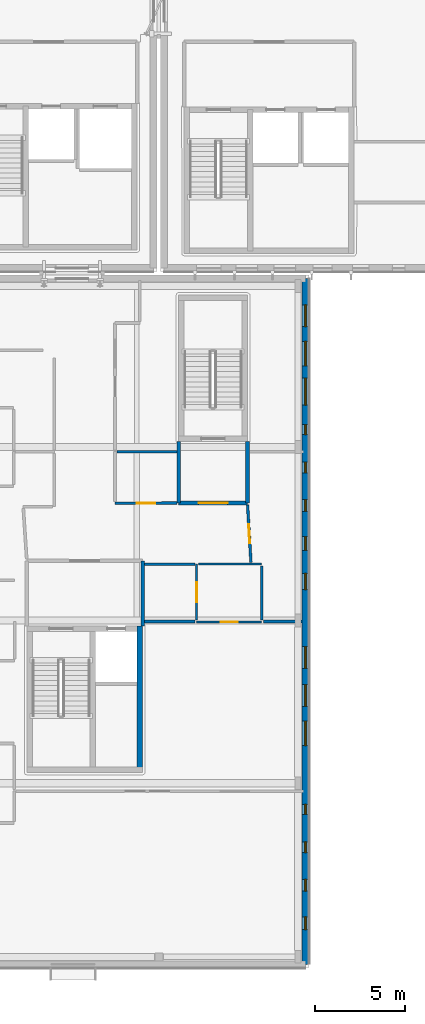
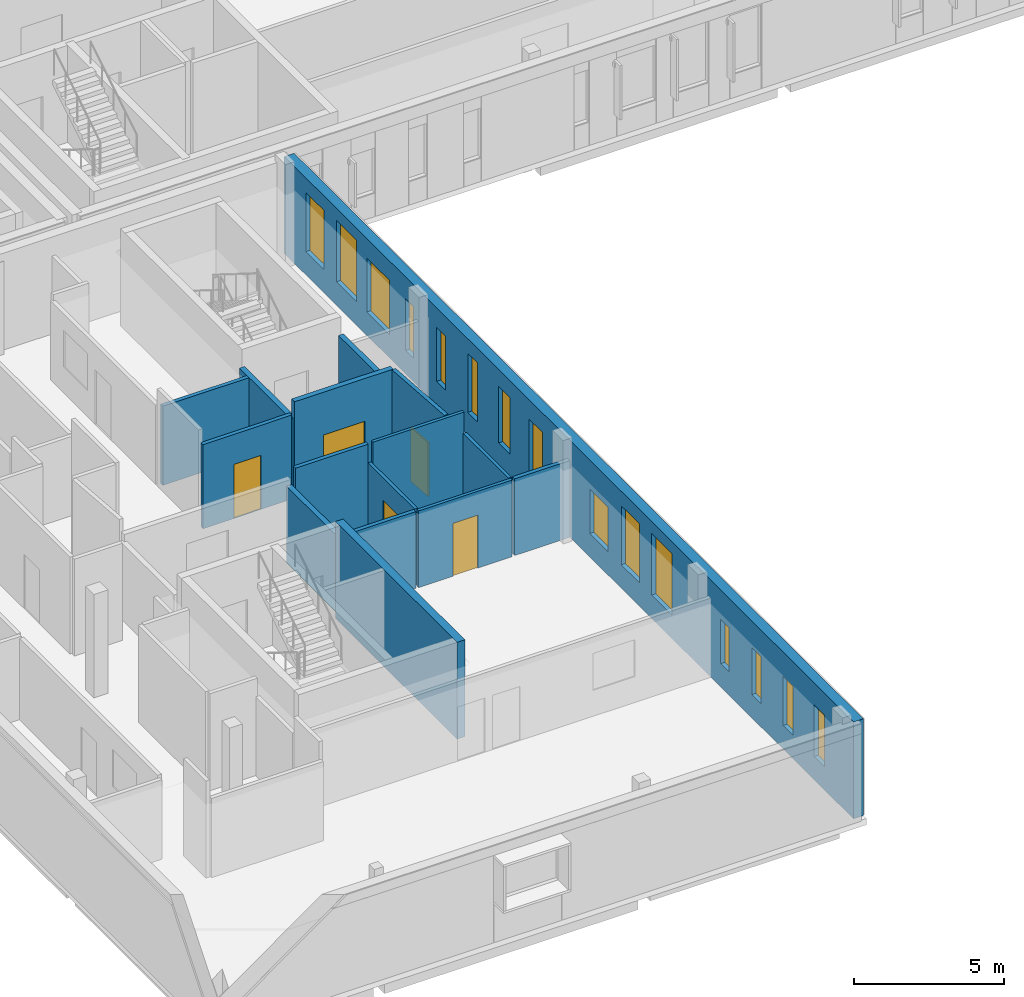
# One storey, part 42 of 84: 16 walls, 15 windows, 5 doors, 20 openings.
"""IFC4 building model written with IfcOpenShell, lengths in metres."""

from ifc_helpers import new_model, si_unit, direction, frame, frame_2d, origin, place, context, subcontext, project, spatial, rectangle, extrude, material, layer, layer_set, type_object, element, fill, save


model = new_model("IFC4")

# Units and contexts
model_context = context("Model", 3, precision=1e-05, world=origin(), true_north=direction((0.0, 1.0)))
body_context = subcontext(model_context, "Body", "Model", "MODEL_VIEW")
ifc_project = project(units=[si_unit("LENGTHUNIT", "METRE"), si_unit("AREAUNIT", "SQUARE_METRE"), si_unit("VOLUMEUNIT", "CUBIC_METRE"), si_unit("PLANEANGLEUNIT", "RADIAN"), si_unit("MASSUNIT", "GRAM", prefix="KILO")], contexts=[model_context])

# Site, building, storey
site_placement = place(None, origin())
site = spatial("IfcSite", under=ifc_project, at=site_placement, CompositionType="ELEMENT")
building_placement = place(site_placement, origin())
building = spatial("IfcBuilding", under=site, at=building_placement, Name="Mzevani Central Library", CompositionType="ELEMENT")
storey_placement = place(building_placement, frame((0.0, 0.0, 5.39990234375)))
storey = spatial("IfcBuildingStorey", under=building, at=storey_placement, Name="L01", CompositionType="ELEMENT", Elevation=5.39990234375)

# Walls
ifc_material_1 = material(Name="Concrete C35/45", Category="concrete")
ifc_layer_1 = layer(ifc_material_1, 0.199951171875, Name="Compartment Wall 200")
ifc_layer_set_1 = layer_set([ifc_layer_1], Name="Concrete C35/45")
wall_type_1 = type_object("IfcWallType", Name="Compartment Wall 200", PredefinedType="STANDARD", material=ifc_layer_set_1)
wall_1_placement = place(storey_placement, frame((45.10009765625, 26.5, 0.0), z_axis=(0.0, 0.0, 1.0), x_axis=(0.0, -1.0, 0.0)))
element("IfcWall", 1, at=wall_1_placement, inside=storey, type_object=wall_type_1, Name="L01 Protected Stair Lobby C4A Enclosure Wall 3", PredefinedType="STANDARD", context=body_context, shape_type="SweptSolid", body=[
    extrude(rectangle(XDim=3.60009765625, YDim=0.199951171875, at=frame_2d((1.800048828125, 0.0))), origin(), (0.0, 0.0, 1.0), 3.1201171875),
])
wall_2_placement = place(storey_placement, frame((47.10009765625, 33.10009765625, 0.0), z_axis=(0.0, 0.0, 1.0), x_axis=(0.0, -1.0, 0.0)))
element("IfcWall", 2, at=wall_2_placement, inside=storey, type_object=wall_type_1, Name="L01 Stair Vestibule C4B Enclosure Wall 1", PredefinedType="STANDARD", context=body_context, shape_type="SweptSolid", body=[
    extrude(rectangle(XDim=3.400146484375, YDim=0.199951171875, at=frame_2d((1.7001953125, 0.0))), origin(), (0.0, 0.0, 1.0), 3.22021484375),
])

# Wall, opening, door
wall_3_placement = place(storey_placement, frame((47.10009765625, 29.699951171875, 0.0), z_axis=(0.0, 0.0, 1.0), x_axis=(1.0, 0.0, 0.0)))
wall_3 = element("IfcWall", 3, at=wall_3_placement, inside=storey, type_object=wall_type_1, Name="L01 Stair Vestibule C4B Enclosure Wall 2", PredefinedType="STANDARD", context=body_context, shape_type="SweptSolid", body=[
    extrude(rectangle(XDim=3.7998046875, YDim=0.199951171875, at=frame_2d((1.89990234375, 0.0))), origin(), (0.0, 0.0, 1.0), 3.940185546875),
])
opening_1_placement = place(wall_3_placement, frame((1.10009765625, 0.0, 0.0)))
opening_1 = element("IfcOpeningElement", 4, at=opening_1_placement, cuts=wall_3, Name="Opening FD-02", PredefinedType="OPENING", context=body_context, shape_type="SweptSolid", body=[
    extrude(rectangle(XDim=1.60009765625, YDim=2.199951171875, at=frame_2d((0.800048828125, 1.10009765625))), frame((0.0, 0.10986328125, 0.0), z_axis=(0.0, -1.0, 0.0), x_axis=(1.0, 0.0, 0.0)), (0.0, 0.0, 1.0), 0.219970703125),
])
ifc_material_2 = material(Name="Fire-rated steel door assembly", Category="steel")
door_type_1 = type_object("IfcDoorType", Name="Fire Lobby Double Door 1600x2200", OperationType="NOTDEFINED", PredefinedType="DOOR", material=ifc_material_2)
door_1_placement = place(opening_1_placement, origin())
door_1 = element("IfcDoor", 5, at=door_1_placement, inside=storey, type_object=door_type_1, Name="L01 Stair Vestibule C4B Smoke-Control Door", OperationType="DOUBLE_DOOR_SINGLE_SWING", OverallHeight=2.199951171875, OverallWidth=1.60009765625, PredefinedType="DOOR", context=body_context, shape_type="SweptSolid", body=[
    extrude(rectangle(XDim=1.60009765625, YDim=2.199951171875, at=frame_2d((0.800048828125, 1.10009765625))), frame((0.0, 0.02490234375, 0.0), z_axis=(0.0, -1.0, 0.0), x_axis=(1.0, 0.0, 0.0)), (0.0, 0.0, 1.0), 0.050048828125),
])
fill(opening_1, door_1)

# Walls
wall_4_placement = place(storey_placement, frame((50.89990234375, 29.699951171875, 0.0), z_axis=(0.0, 0.0, 1.0), x_axis=(0.0, 1.0, 0.0)))
element("IfcWall", 6, at=wall_4_placement, inside=storey, type_object=wall_type_1, Name="L01 Stair Vestibule C4B Enclosure Wall 3", PredefinedType="STANDARD", context=body_context, shape_type="SweptSolid", body=[
    extrude(rectangle(XDim=3.400146484375, YDim=0.199951171875, at=frame_2d((1.7001953125, 0.0))), origin(), (0.0, 0.0, 1.0), 3.22021484375),
])
ifc_material_3 = material(Name="Concrete C40/50", Category="concrete")
ifc_layer_2 = layer(ifc_material_3, 0.300048828125, Name="Core Shear Wall 300")
ifc_layer_set_2 = layer_set([ifc_layer_2], Name="Concrete C40/50")
wall_type_2 = type_object("IfcWallType", Name="Core Shear Wall 300", PredefinedType="SHEAR", material=ifc_layer_set_2)
wall_5_placement = place(storey_placement, frame((44.949951171875, 22.89990234375, 0.0), z_axis=(0.0, 0.0, 1.0), x_axis=(0.0, -1.0, 0.0)))
element("IfcWall", 7, at=wall_5_placement, inside=storey, type_object=wall_type_2, Name="L01 Core C4A Cultural Wing Core Shear Wall (+x)", PredefinedType="SHEAR", context=body_context, shape_type="SweptSolid", body=[
    extrude(rectangle(XDim=8.099853515625, YDim=0.300048828125, at=frame_2d((4.0498046875, 0.0))), origin(), (0.0, 0.0, 1.0), 3.940185546875),
])

# Wall, openings, windows
ifc_material_4 = material(Name="Precast concrete C40/50", Category="concrete")
ifc_layer_3 = layer(ifc_material_4, 0.3798828125, Name="Exterior Thermal Concrete Wall 380")
ifc_layer_set_3 = layer_set([ifc_layer_3], Name="Precast concrete C40/50")
wall_type_3 = type_object("IfcWallType", Name="Exterior Thermal Concrete Wall 380", PredefinedType="STANDARD", material=ifc_layer_set_3)
wall_6_placement = place(storey_placement, frame((54.110107421875, 42.110107421875, 0.0), z_axis=(0.0, 0.0, 1.0), x_axis=(0.0, -1.0, 0.0)))
wall_6 = element("IfcWall", 8, at=wall_6_placement, inside=storey, type_object=wall_type_3, Name="L01 V4 Exterior Thermal Wall (79)", PredefinedType="STANDARD", context=body_context, shape_type="SweptSolid", body=[
    extrude(rectangle(XDim=37.920166015625, YDim=0.3798828125, at=frame_2d((18.9599609375, 0.0))), origin(), (0.0, 0.0, 1.0), 3.940185546875),
])
opening_2_placement = place(wall_6_placement, frame((1.449951171875, 0.0, 0.949951171875)))
opening_2 = element("IfcOpeningElement", 9, at=opening_2_placement, cuts=wall_6, Name="Opening W-07", PredefinedType="OPENING", context=body_context, shape_type="SweptSolid", body=[
    extrude(rectangle(XDim=1.199951171875, YDim=2.39990234375, at=frame_2d((0.60009765625, 1.199951171875))), frame((0.0, 0.199951171875, 0.0), z_axis=(0.0, -1.0, 0.0), x_axis=(1.0, 0.0, 0.0)), (0.0, 0.0, 1.0), 0.39990234375),
])
opening_3_placement = place(wall_6_placement, frame((3.47509765625, 0.0, 0.949951171875)))
opening_3 = element("IfcOpeningElement", 10, at=opening_3_placement, cuts=wall_6, Name="Opening W-09", PredefinedType="OPENING", context=body_context, shape_type="SweptSolid", body=[
    extrude(rectangle(XDim=1.35009765625, YDim=2.5, at=frame_2d((0.675048828125, 1.25))), frame((0.0, 0.199951171875, 0.0), z_axis=(0.0, -1.0, 0.0), x_axis=(1.0, 0.0, 0.0)), (0.0, 0.0, 1.0), 0.39990234375),
])
opening_4_placement = place(wall_6_placement, frame((5.5, 0.0, 0.949951171875)))
opening_4 = element("IfcOpeningElement", 11, at=opening_4_placement, cuts=wall_6, Name="Opening W-11", PredefinedType="OPENING", context=body_context, shape_type="SweptSolid", body=[
    extrude(rectangle(XDim=1.5, YDim=2.199951171875, at=frame_2d((0.75, 1.10009765625))), frame((0.0, 0.199951171875, 0.0), z_axis=(0.0, -1.0, 0.0), x_axis=(1.0, 0.0, 0.0)), (0.0, 0.0, 1.0), 0.39990234375),
])
opening_5_placement = place(wall_6_placement, frame((8.074951171875, 0.0, 0.949951171875)))
opening_5 = element("IfcOpeningElement", 12, at=opening_5_placement, cuts=wall_6, Name="Opening WS-02", PredefinedType="OPENING", context=body_context, shape_type="SweptSolid", body=[
    extrude(rectangle(XDim=0.550048828125, YDim=2.10009765625, at=frame_2d((0.27490234375, 1.050048828125))), frame((0.0, 0.199951171875, 0.0), z_axis=(0.0, -1.0, 0.0), x_axis=(1.0, 0.0, 0.0)), (0.0, 0.0, 1.0), 0.39990234375),
])
opening_6_placement = place(wall_6_placement, frame((10.14990234375, 0.0, 0.949951171875)))
opening_6 = element("IfcOpeningElement", 13, at=opening_6_placement, cuts=wall_6, Name="Opening WS-04", PredefinedType="OPENING", context=body_context, shape_type="SweptSolid", body=[
    extrude(rectangle(XDim=0.60009765625, YDim=2.199951171875, at=frame_2d((0.300048828125, 1.10009765625))), frame((0.0, 0.199951171875, 0.0), z_axis=(0.0, -1.0, 0.0), x_axis=(1.0, 0.0, 0.0)), (0.0, 0.0, 1.0), 0.39990234375),
])
opening_7_placement = place(wall_6_placement, frame((12.22509765625, 0.0, 0.949951171875)))
opening_7 = element("IfcOpeningElement", 14, at=opening_7_placement, cuts=wall_6, Name="Opening WS-06", PredefinedType="OPENING", context=body_context, shape_type="SweptSolid", body=[
    extrude(rectangle(XDim=0.64990234375, YDim=2.39990234375, at=frame_2d((0.324951171875, 1.199951171875))), frame((0.0, 0.199951171875, 0.0), z_axis=(0.0, -1.0, 0.0), x_axis=(1.0, 0.0, 0.0)), (0.0, 0.0, 1.0), 0.39990234375),
])
opening_8_placement = place(wall_6_placement, frame((14.27490234375, 0.0, 0.949951171875)))
opening_8 = element("IfcOpeningElement", 15, at=opening_8_placement, cuts=wall_6, Name="Opening WS-08", PredefinedType="OPENING", context=body_context, shape_type="SweptSolid", body=[
    extrude(rectangle(XDim=0.75, YDim=2.300048828125, at=frame_2d((0.375, 1.14990234375))), frame((0.0, 0.199951171875, 0.0), z_axis=(0.0, -1.0, 0.0), x_axis=(1.0, 0.0, 0.0)), (0.0, 0.0, 1.0), 0.39990234375),
])
opening_9_placement = place(wall_6_placement, frame((16.300048828125, 0.0, 0.949951171875)))
opening_9 = element("IfcOpeningElement", 16, at=opening_9_placement, cuts=wall_6, Name="Opening W-02", PredefinedType="OPENING", context=body_context, shape_type="SweptSolid", body=[
    extrude(rectangle(XDim=0.89990234375, YDim=2.199951171875, at=frame_2d((0.449951171875, 1.10009765625))), frame((0.0, 0.199951171875, 0.0), z_axis=(0.0, -1.0, 0.0), x_axis=(1.0, 0.0, 0.0)), (0.0, 0.0, 1.0), 0.39990234375),
])
opening_10_placement = place(wall_6_placement, frame((20.35009765625, 0.0, 0.949951171875)))
opening_10 = element("IfcOpeningElement", 17, at=opening_10_placement, cuts=wall_6, Name="Opening W-05", PredefinedType="OPENING", context=body_context, shape_type="SweptSolid", body=[
    extrude(rectangle(XDim=1.199951171875, YDim=1.800048828125, at=frame_2d((0.60009765625, 0.89990234375))), frame((0.0, 0.199951171875, 0.0), z_axis=(0.0, -1.0, 0.0), x_axis=(1.0, 0.0, 0.0)), (0.0, 0.0, 1.0), 0.39990234375),
])
opening_11_placement = place(wall_6_placement, frame((22.449951171875, 0.0, 0.949951171875)))
opening_11 = element("IfcOpeningElement", 18, at=opening_11_placement, cuts=wall_6, Name="Opening W-07", PredefinedType="OPENING", context=body_context, shape_type="SweptSolid", body=[
    extrude(rectangle(XDim=1.199951171875, YDim=2.39990234375, at=frame_2d((0.60009765625, 1.199951171875))), frame((0.0, 0.199951171875, 0.0), z_axis=(0.0, -1.0, 0.0), x_axis=(1.0, 0.0, 0.0)), (0.0, 0.0, 1.0), 0.39990234375),
])
opening_12_placement = place(wall_6_placement, frame((24.47509765625, 0.0, 0.949951171875)))
opening_12 = element("IfcOpeningElement", 19, at=opening_12_placement, cuts=wall_6, Name="Opening W-09", PredefinedType="OPENING", context=body_context, shape_type="SweptSolid", body=[
    extrude(rectangle(XDim=1.35009765625, YDim=2.5, at=frame_2d((0.675048828125, 1.25))), frame((0.0, 0.199951171875, 0.0), z_axis=(0.0, -1.0, 0.0), x_axis=(1.0, 0.0, 0.0)), (0.0, 0.0, 1.0), 0.39990234375),
])
opening_13_placement = place(wall_6_placement, frame((29.074951171875, 0.0, 0.949951171875)))
opening_13 = element("IfcOpeningElement", 20, at=opening_13_placement, cuts=wall_6, Name="Opening WS-01", PredefinedType="OPENING", context=body_context, shape_type="SweptSolid", body=[
    extrude(rectangle(XDim=0.550048828125, YDim=1.800048828125, at=frame_2d((0.27490234375, 0.89990234375))), frame((0.0, 0.199951171875, 0.0), z_axis=(0.0, -1.0, 0.0), x_axis=(1.0, 0.0, 0.0)), (0.0, 0.0, 1.0), 0.39990234375),
])
opening_14_placement = place(wall_6_placement, frame((31.14990234375, 0.0, 0.949951171875)))
opening_14 = element("IfcOpeningElement", 21, at=opening_14_placement, cuts=wall_6, Name="Opening WS-03", PredefinedType="OPENING", context=body_context, shape_type="SweptSolid", body=[
    extrude(rectangle(XDim=0.60009765625, YDim=1.89990234375, at=frame_2d((0.300048828125, 0.949951171875))), frame((0.0, 0.199951171875, 0.0), z_axis=(0.0, -1.0, 0.0), x_axis=(1.0, 0.0, 0.0)), (0.0, 0.0, 1.0), 0.39990234375),
])
opening_15_placement = place(wall_6_placement, frame((33.22509765625, 0.0, 0.949951171875)))
opening_15 = element("IfcOpeningElement", 22, at=opening_15_placement, cuts=wall_6, Name="Opening WS-05", PredefinedType="OPENING", context=body_context, shape_type="SweptSolid", body=[
    extrude(rectangle(XDim=0.64990234375, YDim=2.0, at=frame_2d((0.324951171875, 1.0))), frame((0.0, 0.199951171875, 0.0), z_axis=(0.0, -1.0, 0.0), x_axis=(1.0, 0.0, 0.0)), (0.0, 0.0, 1.0), 0.39990234375),
])
opening_16_placement = place(wall_6_placement, frame((35.300048828125, 0.0, 0.949951171875)))
opening_16 = element("IfcOpeningElement", 23, at=opening_16_placement, cuts=wall_6, Name="Opening WS-07", PredefinedType="OPENING", context=body_context, shape_type="SweptSolid", body=[
    extrude(rectangle(XDim=0.699951171875, YDim=2.10009765625, at=frame_2d((0.35009765625, 1.050048828125))), frame((0.0, 0.199951171875, 0.0), z_axis=(0.0, -1.0, 0.0), x_axis=(1.0, 0.0, 0.0)), (0.0, 0.0, 1.0), 0.39990234375),
])
ifc_material_5 = material(Name="Low-E triple glazing glass", Category="glass")
window_type_1 = type_object("IfcWindowType", Name="Archive Slot Window 550x1800", PartitioningType="SINGLE_PANEL", PredefinedType="WINDOW", material=ifc_material_5)
window_1_placement = place(opening_13_placement, origin())
window_1 = element("IfcWindow", 24, at=window_1_placement, inside=storey, type_object=window_type_1, Name="L01 V4 Courtyard/Colonnade Window WS-01 (159)", OverallHeight=1.800048828125, OverallWidth=0.550048828125, PartitioningType="SINGLE_PANEL", PredefinedType="WINDOW", context=body_context, shape_type="SweptSolid", body=[
    extrude(rectangle(XDim=0.550048828125, YDim=1.800048828125, at=frame_2d((0.27490234375, 0.89990234375))), frame((0.0, 0.030029296875, 0.0), z_axis=(0.0, -1.0, 0.0), x_axis=(1.0, 0.0, 0.0)), (0.0, 0.0, 1.0), 0.06005859375),
])
fill(opening_13, window_1)
window_type_2 = type_object("IfcWindowType", Name="Archive Slot Window 550x2100", PartitioningType="SINGLE_PANEL", PredefinedType="WINDOW", material=ifc_material_5)
window_2_placement = place(opening_5_placement, origin())
window_2 = element("IfcWindow", 25, at=window_2_placement, inside=storey, type_object=window_type_2, Name="L01 V4 Courtyard/Colonnade Window WS-02 (151)", OverallHeight=2.10009765625, OverallWidth=0.550048828125, PartitioningType="SINGLE_PANEL", PredefinedType="WINDOW", context=body_context, shape_type="SweptSolid", body=[
    extrude(rectangle(XDim=0.550048828125, YDim=2.10009765625, at=frame_2d((0.27490234375, 1.050048828125))), frame((0.0, 0.030029296875, 0.0), z_axis=(0.0, -1.0, 0.0), x_axis=(1.0, 0.0, 0.0)), (0.0, 0.0, 1.0), 0.06005859375),
])
fill(opening_5, window_2)
window_type_3 = type_object("IfcWindowType", Name="Archive Slot Window 600x1900", PartitioningType="SINGLE_PANEL", PredefinedType="WINDOW", material=ifc_material_5)
window_3_placement = place(opening_14_placement, origin())
window_3 = element("IfcWindow", 26, at=window_3_placement, inside=storey, type_object=window_type_3, Name="L01 V4 Courtyard/Colonnade Window WS-03 (160)", OverallHeight=1.89990234375, OverallWidth=0.60009765625, PartitioningType="SINGLE_PANEL", PredefinedType="WINDOW", context=body_context, shape_type="SweptSolid", body=[
    extrude(rectangle(XDim=0.60009765625, YDim=1.89990234375, at=frame_2d((0.300048828125, 0.949951171875))), frame((0.0, 0.030029296875, 0.0), z_axis=(0.0, -1.0, 0.0), x_axis=(1.0, 0.0, 0.0)), (0.0, 0.0, 1.0), 0.06005859375),
])
fill(opening_14, window_3)
window_type_4 = type_object("IfcWindowType", Name="Archive Slot Window 600x2200", PartitioningType="SINGLE_PANEL", PredefinedType="WINDOW", material=ifc_material_5)
window_4_placement = place(opening_6_placement, origin())
window_4 = element("IfcWindow", 27, at=window_4_placement, inside=storey, type_object=window_type_4, Name="L01 V4 Courtyard/Colonnade Window WS-04 (152)", OverallHeight=2.199951171875, OverallWidth=0.60009765625, PartitioningType="SINGLE_PANEL", PredefinedType="WINDOW", context=body_context, shape_type="SweptSolid", body=[
    extrude(rectangle(XDim=0.60009765625, YDim=2.199951171875, at=frame_2d((0.300048828125, 1.10009765625))), frame((0.0, 0.030029296875, 0.0), z_axis=(0.0, -1.0, 0.0), x_axis=(1.0, 0.0, 0.0)), (0.0, 0.0, 1.0), 0.06005859375),
])
fill(opening_6, window_4)
window_type_5 = type_object("IfcWindowType", Name="Archive Slot Window 650x2000", PartitioningType="SINGLE_PANEL", PredefinedType="WINDOW", material=ifc_material_5)
window_5_placement = place(opening_15_placement, origin())
window_5 = element("IfcWindow", 28, at=window_5_placement, inside=storey, type_object=window_type_5, Name="L01 V4 Courtyard/Colonnade Window WS-05 (161)", OverallHeight=2.0, OverallWidth=0.64990234375, PartitioningType="SINGLE_PANEL", PredefinedType="WINDOW", context=body_context, shape_type="SweptSolid", body=[
    extrude(rectangle(XDim=0.64990234375, YDim=2.0, at=frame_2d((0.324951171875, 1.0))), frame((0.0, 0.030029296875, 0.0), z_axis=(0.0, -1.0, 0.0), x_axis=(1.0, 0.0, 0.0)), (0.0, 0.0, 1.0), 0.06005859375),
])
fill(opening_15, window_5)
window_type_6 = type_object("IfcWindowType", Name="Archive Slot Window 650x2400", PartitioningType="SINGLE_PANEL", PredefinedType="WINDOW", material=ifc_material_5)
window_6_placement = place(opening_7_placement, origin())
window_6 = element("IfcWindow", 29, at=window_6_placement, inside=storey, type_object=window_type_6, Name="L01 V4 Courtyard/Colonnade Window WS-06 (153)", OverallHeight=2.39990234375, OverallWidth=0.64990234375, PartitioningType="SINGLE_PANEL", PredefinedType="WINDOW", context=body_context, shape_type="SweptSolid", body=[
    extrude(rectangle(XDim=0.64990234375, YDim=2.39990234375, at=frame_2d((0.324951171875, 1.199951171875))), frame((0.0, 0.030029296875, 0.0), z_axis=(0.0, -1.0, 0.0), x_axis=(1.0, 0.0, 0.0)), (0.0, 0.0, 1.0), 0.06005859375),
])
fill(opening_7, window_6)
window_type_7 = type_object("IfcWindowType", Name="Archive Slot Window 700x2100", PartitioningType="SINGLE_PANEL", PredefinedType="WINDOW", material=ifc_material_5)
window_7_placement = place(opening_16_placement, origin())
window_7 = element("IfcWindow", 30, at=window_7_placement, inside=storey, type_object=window_type_7, Name="L01 V4 Courtyard/Colonnade Window WS-07 (162)", OverallHeight=2.10009765625, OverallWidth=0.699951171875, PartitioningType="SINGLE_PANEL", PredefinedType="WINDOW", context=body_context, shape_type="SweptSolid", body=[
    extrude(rectangle(XDim=0.699951171875, YDim=2.10009765625, at=frame_2d((0.35009765625, 1.050048828125))), frame((0.0, 0.030029296875, 0.0), z_axis=(0.0, -1.0, 0.0), x_axis=(1.0, 0.0, 0.0)), (0.0, 0.0, 1.0), 0.06005859375),
])
fill(opening_16, window_7)
window_type_8 = type_object("IfcWindowType", Name="Archive Slot Window 750x2300", PartitioningType="SINGLE_PANEL", PredefinedType="WINDOW", material=ifc_material_5)
window_8_placement = place(opening_8_placement, origin())
window_8 = element("IfcWindow", 31, at=window_8_placement, inside=storey, type_object=window_type_8, Name="L01 V4 Courtyard/Colonnade Window WS-08 (154)", OverallHeight=2.300048828125, OverallWidth=0.75, PartitioningType="SINGLE_PANEL", PredefinedType="WINDOW", context=body_context, shape_type="SweptSolid", body=[
    extrude(rectangle(XDim=0.75, YDim=2.300048828125, at=frame_2d((0.375, 1.14990234375))), frame((0.0, 0.030029296875, 0.0), z_axis=(0.0, -1.0, 0.0), x_axis=(1.0, 0.0, 0.0)), (0.0, 0.0, 1.0), 0.06005859375),
])
fill(opening_8, window_8)
window_type_9 = type_object("IfcWindowType", Name="Deep Reveal Window 1200x1800", PartitioningType="SINGLE_PANEL", PredefinedType="WINDOW", material=ifc_material_5)
window_9_placement = place(opening_10_placement, origin())
window_9 = element("IfcWindow", 32, at=window_9_placement, inside=storey, type_object=window_type_9, Name="L01 V4 Courtyard/Colonnade Window W-05 (156)", OverallHeight=1.800048828125, OverallWidth=1.199951171875, PartitioningType="SINGLE_PANEL", PredefinedType="WINDOW", context=body_context, shape_type="SweptSolid", body=[
    extrude(rectangle(XDim=1.199951171875, YDim=1.800048828125, at=frame_2d((0.60009765625, 0.89990234375))), frame((0.0, 0.030029296875, 0.0), z_axis=(0.0, -1.0, 0.0), x_axis=(1.0, 0.0, 0.0)), (0.0, 0.0, 1.0), 0.06005859375),
])
fill(opening_10, window_9)
window_type_10 = type_object("IfcWindowType", Name="Deep Reveal Window 1200x2400", PartitioningType="SINGLE_PANEL", PredefinedType="WINDOW", material=ifc_material_5)
window_10_placement = place(opening_2_placement, origin())
window_10 = element("IfcWindow", 33, at=window_10_placement, inside=storey, type_object=window_type_10, Name="L01 V4 Courtyard/Colonnade Window W-07 (148)", OverallHeight=2.39990234375, OverallWidth=1.199951171875, PartitioningType="SINGLE_PANEL", PredefinedType="WINDOW", context=body_context, shape_type="SweptSolid", body=[
    extrude(rectangle(XDim=1.199951171875, YDim=2.39990234375, at=frame_2d((0.60009765625, 1.199951171875))), frame((0.0, 0.030029296875, 0.0), z_axis=(0.0, -1.0, 0.0), x_axis=(1.0, 0.0, 0.0)), (0.0, 0.0, 1.0), 0.06005859375),
])
fill(opening_2, window_10)
window_11_placement = place(opening_11_placement, origin())
window_11 = element("IfcWindow", 34, at=window_11_placement, inside=storey, type_object=window_type_10, Name="L01 V4 Courtyard/Colonnade Window W-07 (157)", OverallHeight=2.39990234375, OverallWidth=1.199951171875, PartitioningType="SINGLE_PANEL", PredefinedType="WINDOW", context=body_context, shape_type="SweptSolid", body=[
    extrude(rectangle(XDim=1.199951171875, YDim=2.39990234375, at=frame_2d((0.60009765625, 1.199951171875))), frame((0.0, 0.030029296875, 0.0), z_axis=(0.0, -1.0, 0.0), x_axis=(1.0, 0.0, 0.0)), (0.0, 0.0, 1.0), 0.06005859375),
])
fill(opening_11, window_11)
window_type_11 = type_object("IfcWindowType", Name="Deep Reveal Window 1350x2500", PartitioningType="SINGLE_PANEL", PredefinedType="WINDOW", material=ifc_material_5)
window_12_placement = place(opening_3_placement, origin())
window_12 = element("IfcWindow", 35, at=window_12_placement, inside=storey, type_object=window_type_11, Name="L01 V4 Courtyard/Colonnade Window W-09 (149)", OverallHeight=2.5, OverallWidth=1.35009765625, PartitioningType="SINGLE_PANEL", PredefinedType="WINDOW", context=body_context, shape_type="SweptSolid", body=[
    extrude(rectangle(XDim=1.35009765625, YDim=2.5, at=frame_2d((0.675048828125, 1.25))), frame((0.0, 0.030029296875, 0.0), z_axis=(0.0, -1.0, 0.0), x_axis=(1.0, 0.0, 0.0)), (0.0, 0.0, 1.0), 0.06005859375),
])
fill(opening_3, window_12)
window_13_placement = place(opening_12_placement, origin())
window_13 = element("IfcWindow", 36, at=window_13_placement, inside=storey, type_object=window_type_11, Name="L01 V4 Courtyard/Colonnade Window W-09 (158)", OverallHeight=2.5, OverallWidth=1.35009765625, PartitioningType="SINGLE_PANEL", PredefinedType="WINDOW", context=body_context, shape_type="SweptSolid", body=[
    extrude(rectangle(XDim=1.35009765625, YDim=2.5, at=frame_2d((0.675048828125, 1.25))), frame((0.0, 0.030029296875, 0.0), z_axis=(0.0, -1.0, 0.0), x_axis=(1.0, 0.0, 0.0)), (0.0, 0.0, 1.0), 0.06005859375),
])
fill(opening_12, window_13)
window_type_12 = type_object("IfcWindowType", Name="Deep Reveal Window 1500x2200", PartitioningType="SINGLE_PANEL", PredefinedType="WINDOW", material=ifc_material_5)
window_14_placement = place(opening_4_placement, origin())
window_14 = element("IfcWindow", 37, at=window_14_placement, inside=storey, type_object=window_type_12, Name="L01 V4 Courtyard/Colonnade Window W-11 (150)", OverallHeight=2.199951171875, OverallWidth=1.5, PartitioningType="SINGLE_PANEL", PredefinedType="WINDOW", context=body_context, shape_type="SweptSolid", body=[
    extrude(rectangle(XDim=1.5, YDim=2.199951171875, at=frame_2d((0.75, 1.10009765625))), frame((0.0, 0.030029296875, 0.0), z_axis=(0.0, -1.0, 0.0), x_axis=(1.0, 0.0, 0.0)), (0.0, 0.0, 1.0), 0.06005859375),
])
fill(opening_4, window_14)
window_type_13 = type_object("IfcWindowType", Name="Deep Reveal Window 900x2200", PartitioningType="SINGLE_PANEL", PredefinedType="WINDOW", material=ifc_material_5)
window_15_placement = place(opening_9_placement, origin())
window_15 = element("IfcWindow", 38, at=window_15_placement, inside=storey, type_object=window_type_13, Name="L01 V4 Courtyard/Colonnade Window W-02 (155)", OverallHeight=2.199951171875, OverallWidth=0.89990234375, PartitioningType="SINGLE_PANEL", PredefinedType="WINDOW", context=body_context, shape_type="SweptSolid", body=[
    extrude(rectangle(XDim=0.89990234375, YDim=2.199951171875, at=frame_2d((0.449951171875, 1.10009765625))), frame((0.0, 0.030029296875, 0.0), z_axis=(0.0, -1.0, 0.0), x_axis=(1.0, 0.0, 0.0)), (0.0, 0.0, 1.0), 0.06005859375),
])
fill(opening_9, window_15)

# Wall, opening, door
ifc_material_6 = material(Name="Fire-rated gypsum board", Category="gypsum")
ifc_layer_4 = layer(ifc_material_6, 0.1201171875, Name="Partition Acoustic 120")
ifc_layer_set_4 = layer_set([ifc_layer_4], Name="Fire-rated gypsum board")
wall_type_4 = type_object("IfcWallType", Name="Partition Acoustic 120", PredefinedType="PARTITIONING", material=ifc_layer_set_4)
wall_7_placement = place(storey_placement, frame((51.68994140625, 23.1201171875, 0.0), z_axis=(0.0, 0.0, 1.0), x_axis=(-1.0, 0.0, 0.0)))
wall_7 = element("IfcWall", 39, at=wall_7_placement, inside=storey, type_object=wall_type_4, Name="L01 V4 Partition IW-02 (288)", PredefinedType="PARTITIONING", context=body_context, shape_type="SweptSolid", body=[
    extrude(rectangle(XDim=3.599853515625, YDim=0.1201171875, at=frame_2d((1.7998046875, 0.0))), origin(), (0.0, 0.0, 1.0), 3.1201171875),
])
opening_17_placement = place(wall_7_placement, frame((1.324951171875, 0.0, 0.0)))
opening_17 = element("IfcOpeningElement", 40, at=opening_17_placement, cuts=wall_7, Name="Opening ID-02", PredefinedType="OPENING", context=body_context, shape_type="SweptSolid", body=[
    extrude(rectangle(XDim=0.949951171875, YDim=2.14990234375, at=frame_2d((0.47509765625, 1.074951171875))), frame((0.0, 0.070068359375, 0.0), z_axis=(0.0, -1.0, 0.0), x_axis=(1.0, 0.0, 0.0)), (0.0, 0.0, 1.0), 0.14013671875),
])
ifc_material_7 = material(Name="Fire-rated solid oak leaf")
door_type_2 = type_object("IfcDoorType", Name="Accessible WC Door 950x2150", OperationType="NOTDEFINED", PredefinedType="DOOR", material=ifc_material_7)
door_2_placement = place(opening_17_placement, origin())
door_2 = element("IfcDoor", 41, at=door_2_placement, inside=storey, type_object=door_type_2, Name="L01 Accessible WC and Public Toilet V4 Door", OperationType="SINGLE_SWING_LEFT", OverallHeight=2.14990234375, OverallWidth=0.949951171875, PredefinedType="DOOR", context=body_context, shape_type="SweptSolid", body=[
    extrude(rectangle(XDim=0.949951171875, YDim=2.14990234375, at=frame_2d((0.47509765625, 1.074951171875))), frame((0.0, 0.02490234375, 0.0), z_axis=(0.0, -1.0, 0.0), x_axis=(1.0, 0.0, 0.0)), (0.0, 0.0, 1.0), 0.050048828125),
])
fill(opening_17, door_2)

wall_8_placement = place(storey_placement, frame((48.090087890625, 23.219970703125, 0.0), z_axis=(0.0, 0.0, 1.0), x_axis=(0.0, 1.0, 0.0)))
wall_8 = element("IfcWall", 42, at=wall_8_placement, inside=storey, type_object=wall_type_4, Name="L01 V4 Partition IW-02 (289)", PredefinedType="PARTITIONING", context=body_context, shape_type="SweptSolid", body=[
    extrude(rectangle(XDim=3.10009765625, YDim=0.1201171875, at=frame_2d((1.550048828125, 0.0))), origin(), (0.0, 0.0, 1.0), 3.1201171875),
])
opening_18_placement = place(wall_8_placement, frame((1.0, 0.0, 0.0)))
opening_18 = element("IfcOpeningElement", 43, at=opening_18_placement, cuts=wall_8, Name="Opening ID-08", PredefinedType="OPENING", context=body_context, shape_type="SweptSolid", body=[
    extrude(rectangle(XDim=1.10009765625, YDim=2.199951171875, at=frame_2d((0.550048828125, 1.10009765625))), frame((0.0, 0.070068359375, 0.0), z_axis=(0.0, -1.0, 0.0), x_axis=(1.0, 0.0, 0.0)), (0.0, 0.0, 1.0), 0.14013671875),
])
door_type_3 = type_object("IfcDoorType", Name="Seminar Room Door 1100x2200", OperationType="NOTDEFINED", PredefinedType="DOOR", material=ifc_material_7)
door_3_placement = place(opening_18_placement, origin())
door_3 = element("IfcDoor", 44, at=door_3_placement, inside=storey, type_object=door_type_3, Name="L01 Community Coding Classroom 5 Door", OperationType="SINGLE_SWING_LEFT", OverallHeight=2.199951171875, OverallWidth=1.10009765625, PredefinedType="DOOR", context=body_context, shape_type="SweptSolid", body=[
    extrude(rectangle(XDim=1.10009765625, YDim=2.199951171875, at=frame_2d((0.550048828125, 1.10009765625))), frame((0.0, 0.02490234375, 0.0), z_axis=(0.0, -1.0, 0.0), x_axis=(1.0, 0.0, 0.0)), (0.0, 0.0, 1.0), 0.050048828125),
])
fill(opening_18, door_3)

# Walls
wall_9_placement = place(storey_placement, frame((48.18994140625, 26.320068359375, 0.0), z_axis=(0.0, 0.0, 1.0), x_axis=(1.0, 0.0, 0.0)))
element("IfcWall", 45, at=wall_9_placement, inside=storey, type_object=wall_type_4, Name="L01 V4 Partition IW-02 (290)", PredefinedType="PARTITIONING", context=body_context, shape_type="SweptSolid", body=[
    extrude(rectangle(XDim=3.5, YDim=0.1201171875, at=frame_2d((1.75, 0.0))), origin(), (0.0, 0.0, 1.0), 3.940185546875),
])
wall_10_placement = place(storey_placement, frame((51.68994140625, 26.219970703125, 0.0), z_axis=(0.0, 0.0, 1.0), x_axis=(0.0, -1.0, 0.0)))
element("IfcWall", 46, at=wall_10_placement, inside=storey, type_object=wall_type_4, Name="L01 V4 Partition IW-02 (291)", PredefinedType="PARTITIONING", context=body_context, shape_type="SweptSolid", body=[
    extrude(rectangle(XDim=3.0, YDim=0.1201171875, at=frame_2d((1.5, 0.0))), origin(), (0.0, 0.0, 1.0), 3.1201171875),
])

# Wall, opening, door
ifc_layer_5 = layer(ifc_material_6, 0.14990234375, Name="Partition Study 150")
ifc_layer_set_5 = layer_set([ifc_layer_5], Name="Fire-rated gypsum board")
wall_type_5 = type_object("IfcWallType", Name="Partition Study 150", PredefinedType="PARTITIONING", material=ifc_layer_set_5)
wall_11_placement = place(storey_placement, frame((51.093994140625, 26.419921875, 0.0), z_axis=(0.0, 0.0, 1.0), x_axis=(-0.059009535749, 0.998257419051, 0.0)))
wall_11 = element("IfcWall", 47, at=wall_11_placement, inside=storey, type_object=wall_type_5, Name="L01 V4 Partition IW-03 (306)", PredefinedType="PARTITIONING", context=body_context, shape_type="SweptSolid", body=[
    extrude(rectangle(XDim=3.185791015625, YDim=0.14990234375, at=frame_2d((1.5927734375, 0.0))), origin(), (0.0, 0.0, 1.0), 3.940185546875),
])
opening_19_placement = place(wall_11_placement, frame((1.068115234375, 0.0, 0.0)))
opening_19 = element("IfcOpeningElement", 48, at=opening_19_placement, cuts=wall_11, Name="Opening ID-07", PredefinedType="OPENING", context=body_context, shape_type="SweptSolid", body=[
    extrude(rectangle(XDim=1.050048828125, YDim=2.199951171875, at=frame_2d((0.52490234375, 1.10009765625))), frame((0.0, 0.0849609375, 0.0), z_axis=(0.0, -1.0, 0.0), x_axis=(1.0, 0.0, 0.0)), (0.0, 0.0, 1.0), 0.169921875),
])
door_type_4 = type_object("IfcDoorType", Name="Maker Studio Door 1050x2200", OperationType="NOTDEFINED", PredefinedType="DOOR", material=ifc_material_7)
door_4_placement = place(opening_19_placement, origin())
door_4 = element("IfcDoor", 49, at=door_4_placement, inside=storey, type_object=door_type_4, Name="L01 Digital Fabrication and Maker Studio 2 Door", OperationType="SINGLE_SWING_RIGHT", OverallHeight=2.199951171875, OverallWidth=1.050048828125, PredefinedType="DOOR", context=body_context, shape_type="SweptSolid", body=[
    extrude(rectangle(XDim=1.050048828125, YDim=2.199951171875, at=frame_2d((0.52490234375, 1.10009765625))), frame((0.0, 0.02490234375, 0.0), z_axis=(0.0, -1.0, 0.0), x_axis=(1.0, 0.0, 0.0)), (0.0, 0.0, 1.0), 0.050048828125),
])
fill(opening_19, door_4)

# Wall
wall_12_placement = place(storey_placement, frame((53.919921875, 23.14990234375, 0.0), z_axis=(0.0, 0.0, 1.0), x_axis=(-1.0, 0.0, 0.0)))
element("IfcWall", 50, at=wall_12_placement, inside=storey, type_object=wall_type_5, Name="L01 V4 Partition IW-03 (308)", PredefinedType="PARTITIONING", context=body_context, shape_type="SweptSolid", body=[
    extrude(rectangle(XDim=2.1298828125, YDim=0.14990234375, at=frame_2d((1.06494140625, 0.0))), origin(), (0.0, 0.0, 1.0), 3.1201171875),
])

# Wall, opening, door
wall_13_placement = place(storey_placement, frame((47.0, 29.699462890625, 0.0), z_axis=(0.0, 0.0, 1.0), x_axis=(-0.999983692511, -0.005710929141, 0.0)))
wall_13 = element("IfcWall", 51, at=wall_13_placement, inside=storey, type_object=wall_type_5, Name="L01 V4 Partition IW-03 (317)", PredefinedType="PARTITIONING", context=body_context, shape_type="SweptSolid", body=[
    extrude(rectangle(XDim=3.419921875, YDim=0.14990234375, at=frame_2d((1.7099609375, 0.0))), origin(), (0.0, 0.0, 1.0), 3.420166015625),
])
opening_20_placement = place(wall_13_placement, frame((1.18505859375, 0.0, 0.0)))
opening_20 = element("IfcOpeningElement", 52, at=opening_20_placement, cuts=wall_13, Name="Opening ID-07", PredefinedType="OPENING", context=body_context, shape_type="SweptSolid", body=[
    extrude(rectangle(XDim=1.050048828125, YDim=2.199951171875, at=frame_2d((0.52490234375, 1.10009765625))), frame((0.0, 0.0849609375, 0.0), z_axis=(0.0, -1.0, 0.0), x_axis=(1.0, 0.0, 0.0)), (0.0, 0.0, 1.0), 0.169921875),
])
door_5_placement = place(opening_20_placement, origin())
door_5 = element("IfcDoor", 53, at=door_5_placement, inside=storey, type_object=door_type_4, Name="L01 Media Editing and Oral History Lab 4 Door", OperationType="SINGLE_SWING_RIGHT", OverallHeight=2.199951171875, OverallWidth=1.050048828125, PredefinedType="DOOR", context=body_context, shape_type="SweptSolid", body=[
    extrude(rectangle(XDim=1.050048828125, YDim=2.199951171875, at=frame_2d((0.52490234375, 1.10009765625))), frame((0.0, 0.02490234375, 0.0), z_axis=(0.0, -1.0, 0.0), x_axis=(1.0, 0.0, 0.0)), (0.0, 0.0, 1.0), 0.050048828125),
])
fill(opening_20, door_5)

# Walls
wall_14_placement = place(storey_placement, frame((43.679931640625, 32.534912109375, 0.0), z_axis=(0.0, 0.0, 1.0), x_axis=(1.0, 0.0, 0.0)))
element("IfcWall", 54, at=wall_14_placement, inside=storey, type_object=wall_type_5, Name="L01 V4 Partition IW-03 (319)", PredefinedType="PARTITIONING", context=body_context, shape_type="SweptSolid", body=[
    extrude(rectangle(XDim=3.320068359375, YDim=0.14990234375, at=frame_2d((1.66015625, 0.0))), origin(), (0.0, 0.0, 1.0), 3.22021484375),
])
wall_15_placement = place(storey_placement, frame((45.199951171875, 26.320068359375, 0.0), z_axis=(0.0, 0.0, 1.0), x_axis=(1.0, 0.0, 0.0)))
element("IfcWall", 55, at=wall_15_placement, inside=storey, type_object=wall_type_5, Name="L01 V4 Partition IW-03 (320)", PredefinedType="PARTITIONING", context=body_context, shape_type="SweptSolid", body=[
    extrude(rectangle(XDim=2.7900390625, YDim=0.14990234375, at=frame_2d((1.39501953125, 0.0))), origin(), (0.0, 0.0, 1.0), 3.940185546875),
])
wall_16_placement = place(storey_placement, frame((47.989990234375, 23.14990234375, 0.0), z_axis=(0.0, 0.0, 1.0), x_axis=(-1.0, 0.0, 0.0)))
element("IfcWall", 56, at=wall_16_placement, inside=storey, type_object=wall_type_5, Name="L01 V4 Partition IW-03 (321)", PredefinedType="PARTITIONING", context=body_context, shape_type="SweptSolid", body=[
    extrude(rectangle(XDim=2.7900390625, YDim=0.14990234375, at=frame_2d((1.39501953125, 0.0))), origin(), (0.0, 0.0, 1.0), 3.1201171875),
])

save(model, "model.ifc")
